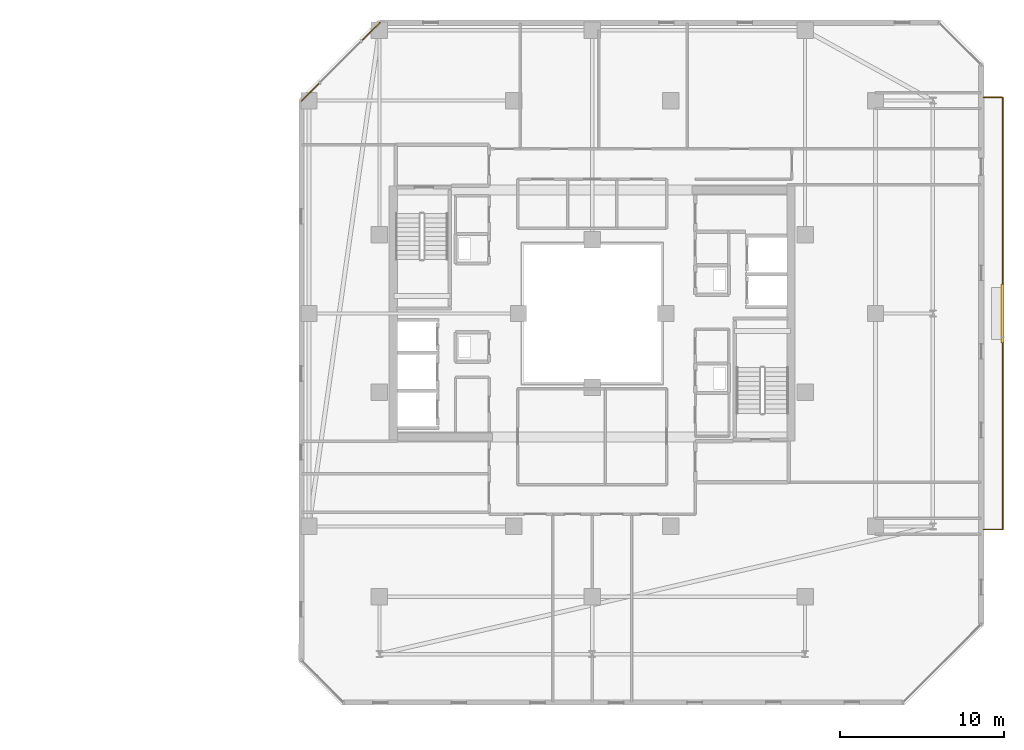
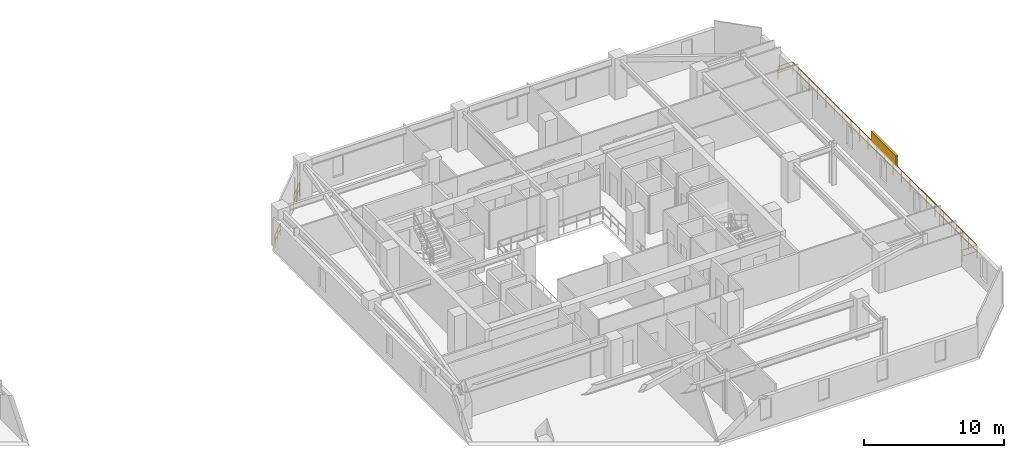
# One storey, part 32 of 32: 3 railings, 1 shading device.
"""IFC4 building model written with IfcOpenShell, lengths in metres."""

import ifcopenshell
import ifcopenshell.guid

model = None  # the IFC model being written
_history = None  # IfcOwnerHistory: only IFC2X3 demands one
_inside = {}  # id of a spatial element -> (the spatial element, [elements in it])
_under = {}  # id of a project, library or spatial element -> (it, [spatial elements below it])
_declared = {}  # id of a project -> (the project, [libraries it declares])
_typed = {}  # id of a type object -> (the type object, [elements of that type])
_made_of = {}  # id of a material, layer set ... -> (it, [elements and type objects made of it])


def new_model(schema):
    """Start an empty IFC model of exactly this schema.

    Asked for "IFC4X3", IfcOpenShell would pick the latest addendum, in which some entities
    have other attributes; the version numbers below select the first issue.
    IFC2X3 requires an IfcOwnerHistory on every rooted entity: one is made here for all.
    """
    global model, _history
    if schema == "IFC4X3":
        model = ifcopenshell.file(schema_version=(4, 3, 0, 0))
    else:
        model = ifcopenshell.file(schema=schema)
    _inside.clear()
    _under.clear()
    _declared.clear()
    _typed.clear()
    _made_of.clear()
    _history = None
    if model.schema == "IFC2X3":
        org = make("IfcOrganization", Name="unknown")
        user = make(
            "IfcPersonAndOrganization",
            ThePerson=make("IfcPerson", FamilyName="unknown"),
            TheOrganization=org,
        )
        app = make(
            "IfcApplication",
            ApplicationDeveloper=org,
            Version="unknown",
            ApplicationFullName="unknown",
            ApplicationIdentifier="unknown",
        )
        _history = make(
            "IfcOwnerHistory",
            OwningUser=user,
            OwningApplication=app,
            ChangeAction="ADDED",
            CreationDate=0,
        )
    return model


def make(cls, **values):
    """One entity of the class cls with the attributes given. An attribute that is None is left unset."""
    return model.create_entity(
        cls, **{name: value for name, value in values.items() if value is not None}
    )


def rooted(cls, **values):
    """An entity with a GlobalId (a new one), such as an element, a storey or a relation."""
    return make(cls, GlobalId=ifcopenshell.guid.new(), OwnerHistory=_history, **values)


def si_unit(unit_type, name, prefix=None):
    """IfcSIUnit, for example si_unit("LENGTHUNIT", "METRE", prefix="MILLI")."""
    return make("IfcSIUnit", UnitType=unit_type, Prefix=prefix, Name=name)


def assignment(units):
    """IfcUnitAssignment: the units of a project."""
    return None if units is None else make("IfcUnitAssignment", Units=units)


def point(xyz):
    """IfcCartesianPoint."""
    return None if xyz is None else make("IfcCartesianPoint", Coordinates=xyz)


def direction(xyz):
    """IfcDirection."""
    return None if xyz is None else make("IfcDirection", DirectionRatios=xyz)


def frame(location, z_axis=None, x_axis=None):
    """IfcAxis2Placement3D, a coordinate frame: its origin and axes. An axis left out is left unset."""
    return make(
        "IfcAxis2Placement3D",
        Location=point(location),
        Axis=direction(z_axis),
        RefDirection=direction(x_axis),
    )


def frame_2d(location, x_axis=None):
    """IfcAxis2Placement2D, a coordinate frame in the plane: its origin and x axis."""
    return make(
        "IfcAxis2Placement2D", Location=point(location), RefDirection=direction(x_axis)
    )


def origin():
    """The frame at (0, 0, 0) with its axes left unset."""
    return frame((0.0, 0.0, 0.0))


def origin_2d():
    """The frame at (0, 0) in the plane with its x axis left unset."""
    return frame_2d((0.0, 0.0))


def place(relative_to, where):
    """IfcLocalPlacement: puts the frame where relative to a parent placement (None: the world)."""
    return make(
        "IfcLocalPlacement", PlacementRelTo=relative_to, RelativePlacement=where
    )


def context(
    kind, dimensions, precision=None, world=None, true_north=None, identifier=None
):
    """IfcGeometricRepresentationContext, for example the 3D "Model" context."""
    return make(
        "IfcGeometricRepresentationContext",
        ContextIdentifier=identifier,
        ContextType=kind,
        CoordinateSpaceDimension=dimensions,
        Precision=precision,
        WorldCoordinateSystem=world,
        TrueNorth=true_north,
    )


def subcontext(parent, identifier, kind, view, scale=None):
    """IfcGeometricRepresentationSubContext, for example "Body" below "Model"."""
    return make(
        "IfcGeometricRepresentationSubContext",
        ContextIdentifier=identifier,
        ContextType=kind,
        ParentContext=parent,
        TargetScale=scale,
        TargetView=view,
    )


def project(units=None, contexts=None):
    """IfcProject with its units and contexts."""
    return rooted(
        "IfcProject",
        Name="project",
        RepresentationContexts=contexts,
        UnitsInContext=assignment(units),
    )


def spatial(cls, under=None, at=None, **own):
    """A site, building, storey or space (cls), placed at a placement, below another one or the project."""
    s = rooted(cls, ObjectPlacement=at, **own)
    if under is not None:
        _under.setdefault(under.id(), (under, []))[1].append(s)
    return s


def profile(cls, at=None, kind="AREA", **sizes):
    """A parametric profile (cls). Its sizes go by their IFC names, for example OverallWidth=200.0."""
    return make(cls, ProfileType=kind, Position=at, **sizes)


def rectangle(**sizes):
    """IfcRectangleProfileDef."""
    return profile("IfcRectangleProfileDef", **sizes)


def extrude(swept, where, along, depth):
    """IfcExtrudedAreaSolid: the profile swept, set in the frame where, extruded along a direction by depth."""
    return make(
        "IfcExtrudedAreaSolid",
        SweptArea=swept,
        Position=where,
        ExtrudedDirection=direction(along),
        Depth=depth,
    )


def shape(context_of_items, identifier, shape_type, items):
    """IfcShapeRepresentation: the items that make up one representation, for example the "Body"."""
    return make(
        "IfcShapeRepresentation",
        ContextOfItems=context_of_items,
        RepresentationIdentifier=identifier,
        RepresentationType=shape_type,
        Items=items,
    )


def material(Name=None, Category=None):
    """IfcMaterial."""
    return make("IfcMaterial", Name=Name, Category=Category)


def made_of(thing, what):
    """Note that an element or type object is made of a material, layer set ...; save() writes the relation."""
    if what is not None:
        _made_of.setdefault(what.id(), (what, []))[1].append(thing)
    return thing


def type_object(cls, material=None, **own):
    """A type object (cls), such as IfcWallType, which elements share."""
    return made_of(rooted(cls, **own), material)


def element(
    cls,
    number,
    at=None,
    inside=None,
    cuts=None,
    type_object=None,
    material=None,
    context=None,
    identifier="Body",
    shape_type=None,
    held_by="IfcProductDefinitionShape",
    body=None,
    shapes=None,
    **own,
):
    """One element of the class cls, such as IfcWall. Its Tag is "e" and its number.

    at: its placement. inside: the storey or other place that contains it. cuts: it is an
    opening in that element (IfcRelVoidsElement). A single representation is given by context,
    identifier, shape_type and body (its items); several are given by shapes. held_by: the class
    of the entity that holds the representations. save() writes the other relations.
    """
    e = rooted(cls, Tag="e%d" % number, ObjectPlacement=at, **own)
    if body is not None:
        shapes = [shape(context, identifier, shape_type, body)]
    if shapes is not None:
        e.Representation = make(held_by, Representations=shapes)
    if inside is not None:
        _inside.setdefault(inside.id(), (inside, []))[1].append(e)
    if cuts is not None:
        rooted(
            "IfcRelVoidsElement", RelatingBuildingElement=cuts, RelatedOpeningElement=e
        )
    if type_object is not None:
        _typed.setdefault(type_object.id(), (type_object, []))[1].append(e)
    return made_of(e, material)


def aggregate(whole, parts):
    """IfcRelAggregates: a whole, such as a stair, and the parts it consists of."""
    return rooted("IfcRelAggregates", RelatingObject=whole, RelatedObjects=parts)


def save(model, path):
    """Write the relations noted so far, then the file.

    IfcRelAggregates (storeys below a building ...), IfcRelContainedInSpatialStructure (elements
    in a storey), IfcRelDefinesByType, IfcRelAssociatesMaterial and IfcRelDeclares: one each for
    every whole, place, type object, material and project.
    """
    for whole, parts in _under.values():
        aggregate(whole, parts)
    for where, things in _inside.values():
        rooted(
            "IfcRelContainedInSpatialStructure",
            RelatedElements=things,
            RelatingStructure=where,
        )
    for kind, things in _typed.values():
        rooted("IfcRelDefinesByType", RelatedObjects=things, RelatingType=kind)
    for what, things in _made_of.values():
        rooted("IfcRelAssociatesMaterial", RelatedObjects=things, RelatingMaterial=what)
    for by, libraries in _declared.values():
        rooted("IfcRelDeclares", RelatingContext=by, RelatedDefinitions=libraries)
    model.write(path)


model = new_model("IFC4")

# Units and contexts
model_context = context("Model", 3, precision=1e-05, world=origin(), true_north=direction((0.0, 1.0)))
body_context = subcontext(model_context, "Body", "Model", "MODEL_VIEW")
ifc_project = project(units=[si_unit("LENGTHUNIT", "METRE"), si_unit("AREAUNIT", "SQUARE_METRE"), si_unit("VOLUMEUNIT", "CUBIC_METRE"), si_unit("PLANEANGLEUNIT", "RADIAN"), si_unit("MASSUNIT", "GRAM", prefix="KILO")], contexts=[model_context])

# Site, building, storey
site_placement = place(None, origin())
site = spatial("IfcSite", under=ifc_project, at=site_placement, CompositionType="ELEMENT")
building_placement = place(site_placement, origin())
building = spatial("IfcBuilding", under=site, at=building_placement, Name="Thornwick Lancets Civic Towers", CompositionType="ELEMENT")
storey_placement = place(building_placement, frame((0.0, 0.0, 247.5)))
storey = spatial("IfcBuildingStorey", under=building, at=storey_placement, Name="L66", CompositionType="ELEMENT", Elevation=247.5)

# Railings
ifc_material_1 = material(Name="Terracotta-capped laminated glass balustrade S355", Category="masonry")
railing_type = type_object("IfcRailingType", Name="RAIL_TERR_GUARD", PredefinedType="GUARDRAIL", material=ifc_material_1)
for number, where, name in (
    (1, (75.52490234375, 44.75732421875, 0.0), "L66 Tower B Chamfer Spandrel Guard E5-1"),
    (2, (71.86767578125, 41.10009765625, 0.0), "L66 Tower B Chamfer Spandrel Guard E5-2"),
):
    element("IfcRailing", number, at=place(storey_placement, frame(where)), inside=storey, type_object=railing_type, Name=name, PredefinedType="GUARDRAIL", context=body_context, shape_type="SweptSolid", body=[
        extrude(rectangle(XDim=0.048095703125, YDim=0.048095703125, at=origin_2d()), frame((0.0, 0.0, 1.1259765625), z_axis=(-0.707106781187, -0.707106781187, 0.0), x_axis=(0.707106781187, -0.707106781187, 0.0)), (0.0, 0.0, 1.0), 1.591064453125),
        extrude(rectangle(XDim=0.0419921875, YDim=0.0419921875, at=origin_2d()), frame((-0.026611328125, -0.026611328125, 0.597900390625), z_axis=(-0.707106781187, -0.707106781187, 0.0), x_axis=(0.707106781187, -0.707106781187, 0.0)), (0.0, 0.0, 1.0), 0.720458984375),
        extrude(rectangle(XDim=0.0419921875, YDim=0.0419921875, at=origin_2d()), frame((-0.589111328125, -0.589111328125, 0.597900390625), z_axis=(-0.707106781187, -0.707106781187, 0.0), x_axis=(0.707106781187, -0.707106781187, 0.0)), (0.0, 0.0, 1.0), 0.720458984375),
        extrude(rectangle(XDim=0.0419921875, YDim=0.0419921875, at=origin_2d()), origin(), (0.0, 0.0, 1.0), 1.095703125),
        extrude(rectangle(XDim=0.0419921875, YDim=0.0419921875, at=origin_2d()), frame((-0.5625, -0.5625, 0.0)), (0.0, 0.0, 1.0), 1.095703125),
        extrude(rectangle(XDim=0.0419921875, YDim=0.0419921875, at=origin_2d()), frame((-1.125, -1.125, 0.0)), (0.0, 0.0, 1.0), 1.095703125),
    ])
railing_placement = place(storey_placement, frame((112.39990234375, 13.800048828125, 0.0)))
element("IfcRailing", 3, at=railing_placement, inside=storey, type_object=railing_type, Name="L66 Tower B Balcony Guard E", PredefinedType="GUARDRAIL", context=body_context, shape_type="SweptSolid", body=[
    extrude(rectangle(XDim=0.048095703125, YDim=0.048095703125, at=origin_2d()), frame((0.0, 0.0, 1.1259765625), z_axis=(1.0, 0.0, 0.0), x_axis=(0.0, 1.0, 0.0)), (0.0, 0.0, 1.0), 1.138916015625),
    extrude(rectangle(XDim=0.0419921875, YDim=0.0419921875, at=origin_2d()), frame((0.03759765625, 0.0, 0.597900390625), z_axis=(1.0, 0.0, 0.0), x_axis=(0.0, 1.0, 0.0)), (0.0, 0.0, 1.0), 1.09521484375),
    extrude(rectangle(XDim=0.048095703125, YDim=0.048095703125, at=origin_2d()), frame((1.170166015625, 0.03125, 1.1259765625), z_axis=(0.0, 1.0, 0.0), x_axis=(-1.0, 0.0, 0.0)), (0.0, 0.0, 1.0), 26.33740234375),
    extrude(rectangle(XDim=0.0419921875, YDim=0.0419921875, at=origin_2d()), frame((1.170166015625, 0.03759765625, 0.597900390625), z_axis=(0.0, 1.0, 0.0), x_axis=(-1.0, 0.0, 0.0)), (0.0, 0.0, 1.0), 1.125),
    extrude(rectangle(XDim=0.0419921875, YDim=0.0419921875, at=origin_2d()), frame((1.170166015625, 1.237548828125, 0.597900390625), z_axis=(0.0, 1.0, 0.0), x_axis=(-1.0, 0.0, 0.0)), (0.0, 0.0, 1.0), 1.125),
    extrude(rectangle(XDim=0.0419921875, YDim=0.0419921875, at=origin_2d()), frame((1.170166015625, 2.4375, 0.597900390625), z_axis=(0.0, 1.0, 0.0), x_axis=(-1.0, 0.0, 0.0)), (0.0, 0.0, 1.0), 1.125),
    extrude(rectangle(XDim=0.0419921875, YDim=0.0419921875, at=origin_2d()), frame((1.170166015625, 3.637451171875, 0.597900390625), z_axis=(0.0, 1.0, 0.0), x_axis=(-1.0, 0.0, 0.0)), (0.0, 0.0, 1.0), 1.125),
    extrude(rectangle(XDim=0.0419921875, YDim=0.0419921875, at=origin_2d()), frame((1.170166015625, 4.83740234375, 0.597900390625), z_axis=(0.0, 1.0, 0.0), x_axis=(-1.0, 0.0, 0.0)), (0.0, 0.0, 1.0), 1.125),
    extrude(rectangle(XDim=0.0419921875, YDim=0.0419921875, at=origin_2d()), frame((1.170166015625, 6.037353515625, 0.597900390625), z_axis=(0.0, 1.0, 0.0), x_axis=(-1.0, 0.0, 0.0)), (0.0, 0.0, 1.0), 1.125),
    extrude(rectangle(XDim=0.0419921875, YDim=0.0419921875, at=origin_2d()), frame((1.170166015625, 7.237548828125, 0.597900390625), z_axis=(0.0, 1.0, 0.0), x_axis=(-1.0, 0.0, 0.0)), (0.0, 0.0, 1.0), 1.125),
    extrude(rectangle(XDim=0.0419921875, YDim=0.0419921875, at=origin_2d()), frame((1.170166015625, 8.4375, 0.597900390625), z_axis=(0.0, 1.0, 0.0), x_axis=(-1.0, 0.0, 0.0)), (0.0, 0.0, 1.0), 1.125),
    extrude(rectangle(XDim=0.0419921875, YDim=0.0419921875, at=origin_2d()), frame((1.170166015625, 9.637451171875, 0.597900390625), z_axis=(0.0, 1.0, 0.0), x_axis=(-1.0, 0.0, 0.0)), (0.0, 0.0, 1.0), 1.125),
    extrude(rectangle(XDim=0.0419921875, YDim=0.0419921875, at=origin_2d()), frame((1.170166015625, 10.83740234375, 0.597900390625), z_axis=(0.0, 1.0, 0.0), x_axis=(-1.0, 0.0, 0.0)), (0.0, 0.0, 1.0), 1.125),
    extrude(rectangle(XDim=0.0419921875, YDim=0.0419921875, at=origin_2d()), frame((1.170166015625, 12.037353515625, 0.597900390625), z_axis=(0.0, 1.0, 0.0), x_axis=(-1.0, 0.0, 0.0)), (0.0, 0.0, 1.0), 1.125),
    extrude(rectangle(XDim=0.0419921875, YDim=0.0419921875, at=origin_2d()), frame((1.170166015625, 13.237548828125, 0.597900390625), z_axis=(0.0, 1.0, 0.0), x_axis=(-1.0, 0.0, 0.0)), (0.0, 0.0, 1.0), 1.125),
    extrude(rectangle(XDim=0.0419921875, YDim=0.0419921875, at=origin_2d()), frame((1.170166015625, 14.4375, 0.597900390625), z_axis=(0.0, 1.0, 0.0), x_axis=(-1.0, 0.0, 0.0)), (0.0, 0.0, 1.0), 1.125),
    extrude(rectangle(XDim=0.0419921875, YDim=0.0419921875, at=origin_2d()), frame((1.170166015625, 15.637451171875, 0.597900390625), z_axis=(0.0, 1.0, 0.0), x_axis=(-1.0, 0.0, 0.0)), (0.0, 0.0, 1.0), 1.125),
    extrude(rectangle(XDim=0.0419921875, YDim=0.0419921875, at=origin_2d()), frame((1.170166015625, 16.83740234375, 0.597900390625), z_axis=(0.0, 1.0, 0.0), x_axis=(-1.0, 0.0, 0.0)), (0.0, 0.0, 1.0), 1.125),
    extrude(rectangle(XDim=0.0419921875, YDim=0.0419921875, at=origin_2d()), frame((1.170166015625, 18.037353515625, 0.597900390625), z_axis=(0.0, 1.0, 0.0), x_axis=(-1.0, 0.0, 0.0)), (0.0, 0.0, 1.0), 1.125),
    extrude(rectangle(XDim=0.0419921875, YDim=0.0419921875, at=origin_2d()), frame((1.170166015625, 19.2373046875, 0.597900390625), z_axis=(0.0, 1.0, 0.0), x_axis=(-1.0, 0.0, 0.0)), (0.0, 0.0, 1.0), 1.125),
    extrude(rectangle(XDim=0.0419921875, YDim=0.0419921875, at=origin_2d()), frame((1.170166015625, 20.4375, 0.597900390625), z_axis=(0.0, 1.0, 0.0), x_axis=(-1.0, 0.0, 0.0)), (0.0, 0.0, 1.0), 1.125),
    extrude(rectangle(XDim=0.0419921875, YDim=0.0419921875, at=origin_2d()), frame((1.170166015625, 21.637451171875, 0.597900390625), z_axis=(0.0, 1.0, 0.0), x_axis=(-1.0, 0.0, 0.0)), (0.0, 0.0, 1.0), 1.125),
    extrude(rectangle(XDim=0.0419921875, YDim=0.0419921875, at=origin_2d()), frame((1.170166015625, 22.83740234375, 0.597900390625), z_axis=(0.0, 1.0, 0.0), x_axis=(-1.0, 0.0, 0.0)), (0.0, 0.0, 1.0), 1.125),
    extrude(rectangle(XDim=0.0419921875, YDim=0.0419921875, at=origin_2d()), frame((1.170166015625, 24.037353515625, 0.597900390625), z_axis=(0.0, 1.0, 0.0), x_axis=(-1.0, 0.0, 0.0)), (0.0, 0.0, 1.0), 1.125),
    extrude(rectangle(XDim=0.0419921875, YDim=0.0419921875, at=origin_2d()), frame((1.170166015625, 25.2373046875, 0.597900390625), z_axis=(0.0, 1.0, 0.0), x_axis=(-1.0, 0.0, 0.0)), (0.0, 0.0, 1.0), 1.125),
    extrude(rectangle(XDim=0.048095703125, YDim=0.048095703125, at=origin_2d()), frame((1.138916015625, 26.39990234375, 1.1259765625), z_axis=(-1.0, 0.0, 0.0), x_axis=(0.0, -1.0, 0.0)), (0.0, 0.0, 1.0), 1.138916015625),
    extrude(rectangle(XDim=0.0419921875, YDim=0.0419921875, at=origin_2d()), frame((1.132568359375, 26.39990234375, 0.597900390625), z_axis=(-1.0, 0.0, 0.0), x_axis=(0.0, -1.0, 0.0)), (0.0, 0.0, 1.0), 1.09521484375),
    extrude(rectangle(XDim=0.0419921875, YDim=0.0419921875, at=origin_2d()), origin(), (0.0, 0.0, 1.0), 1.095703125),
    extrude(rectangle(XDim=0.0419921875, YDim=0.0419921875, at=origin_2d()), frame((1.170166015625, 0.0, 0.0)), (0.0, 0.0, 1.0), 1.095703125),
    extrude(rectangle(XDim=0.0419921875, YDim=0.0419921875, at=origin_2d()), frame((1.170166015625, 1.199951171875, 0.0)), (0.0, 0.0, 1.0), 1.095703125),
    extrude(rectangle(XDim=0.0419921875, YDim=0.0419921875, at=origin_2d()), frame((1.170166015625, 2.39990234375, 0.0)), (0.0, 0.0, 1.0), 1.095703125),
    extrude(rectangle(XDim=0.0419921875, YDim=0.0419921875, at=origin_2d()), frame((1.170166015625, 3.60009765625, 0.0)), (0.0, 0.0, 1.0), 1.095703125),
    extrude(rectangle(XDim=0.0419921875, YDim=0.0419921875, at=origin_2d()), frame((1.170166015625, 4.800048828125, 0.0)), (0.0, 0.0, 1.0), 1.095703125),
    extrude(rectangle(XDim=0.0419921875, YDim=0.0419921875, at=origin_2d()), frame((1.170166015625, 6.0, 0.0)), (0.0, 0.0, 1.0), 1.095703125),
    extrude(rectangle(XDim=0.0419921875, YDim=0.0419921875, at=origin_2d()), frame((1.170166015625, 7.199951171875, 0.0)), (0.0, 0.0, 1.0), 1.095703125),
    extrude(rectangle(XDim=0.0419921875, YDim=0.0419921875, at=origin_2d()), frame((1.170166015625, 8.39990234375, 0.0)), (0.0, 0.0, 1.0), 1.095703125),
    extrude(rectangle(XDim=0.0419921875, YDim=0.0419921875, at=origin_2d()), frame((1.170166015625, 9.599853515625, 0.0)), (0.0, 0.0, 1.0), 1.095703125),
    extrude(rectangle(XDim=0.0419921875, YDim=0.0419921875, at=origin_2d()), frame((1.170166015625, 10.800048828125, 0.0)), (0.0, 0.0, 1.0), 1.095703125),
    extrude(rectangle(XDim=0.0419921875, YDim=0.0419921875, at=origin_2d()), frame((1.170166015625, 12.0, 0.0)), (0.0, 0.0, 1.0), 1.095703125),
    extrude(rectangle(XDim=0.0419921875, YDim=0.0419921875, at=origin_2d()), frame((1.170166015625, 13.199951171875, 0.0)), (0.0, 0.0, 1.0), 1.095703125),
    extrude(rectangle(XDim=0.0419921875, YDim=0.0419921875, at=origin_2d()), frame((1.170166015625, 14.39990234375, 0.0)), (0.0, 0.0, 1.0), 1.095703125),
    extrude(rectangle(XDim=0.0419921875, YDim=0.0419921875, at=origin_2d()), frame((1.170166015625, 15.599853515625, 0.0)), (0.0, 0.0, 1.0), 1.095703125),
    extrude(rectangle(XDim=0.0419921875, YDim=0.0419921875, at=origin_2d()), frame((1.170166015625, 16.800048828125, 0.0)), (0.0, 0.0, 1.0), 1.095703125),
    extrude(rectangle(XDim=0.0419921875, YDim=0.0419921875, at=origin_2d()), frame((1.170166015625, 18.0, 0.0)), (0.0, 0.0, 1.0), 1.095703125),
    extrude(rectangle(XDim=0.0419921875, YDim=0.0419921875, at=origin_2d()), frame((1.170166015625, 19.199951171875, 0.0)), (0.0, 0.0, 1.0), 1.095703125),
    extrude(rectangle(XDim=0.0419921875, YDim=0.0419921875, at=origin_2d()), frame((1.170166015625, 20.39990234375, 0.0)), (0.0, 0.0, 1.0), 1.095703125),
    extrude(rectangle(XDim=0.0419921875, YDim=0.0419921875, at=origin_2d()), frame((1.170166015625, 21.599853515625, 0.0)), (0.0, 0.0, 1.0), 1.095703125),
    extrude(rectangle(XDim=0.0419921875, YDim=0.0419921875, at=origin_2d()), frame((1.170166015625, 22.7998046875, 0.0)), (0.0, 0.0, 1.0), 1.095703125),
    extrude(rectangle(XDim=0.0419921875, YDim=0.0419921875, at=origin_2d()), frame((1.170166015625, 24.0, 0.0)), (0.0, 0.0, 1.0), 1.095703125),
    extrude(rectangle(XDim=0.0419921875, YDim=0.0419921875, at=origin_2d()), frame((1.170166015625, 25.199951171875, 0.0)), (0.0, 0.0, 1.0), 1.095703125),
    extrude(rectangle(XDim=0.0419921875, YDim=0.0419921875, at=origin_2d()), frame((1.170166015625, 26.39990234375, 0.0)), (0.0, 0.0, 1.0), 1.095703125),
    extrude(rectangle(XDim=0.0419921875, YDim=0.0419921875, at=origin_2d()), frame((0.0, 26.39990234375, 0.0)), (0.0, 0.0, 1.0), 1.095703125),
])

# Shading device
ifc_material_2 = material(Name="Extruded terracotta baguette solar screen", Category="masonry")
shading_device_type = type_object("IfcShadingDeviceType", Name="SHADE_BAGUETTE", PredefinedType="JALOUSIE", material=ifc_material_2)
shading_device_placement = place(storey_placement, frame((113.56005859375, 27.0, 1.1201171875), z_axis=(0.0, 0.0, 1.0), x_axis=(0.0, 1.0, 0.0)))
element("IfcShadingDevice", 4, at=shading_device_placement, inside=storey, type_object=shading_device_type, Name="L66 Tower B Terracotta Baguette Screen E", PredefinedType="JALOUSIE", context=body_context, shape_type="SweptSolid", body=[
    extrude(rectangle(XDim=3.60009765625, YDim=0.179931640625, at=origin_2d()), origin(), (0.0, 0.0, 1.0), 0.89990234375),
])

save(model, "model.ifc")
